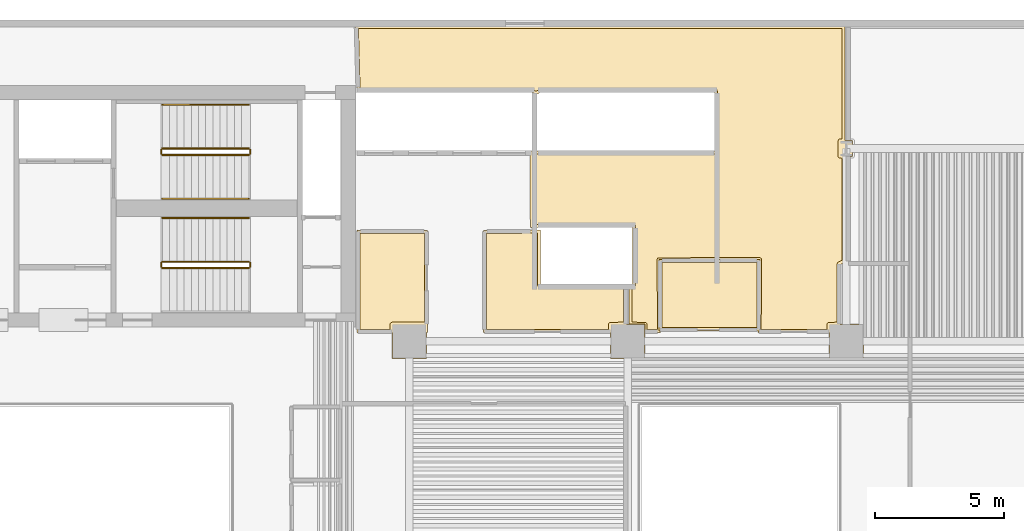
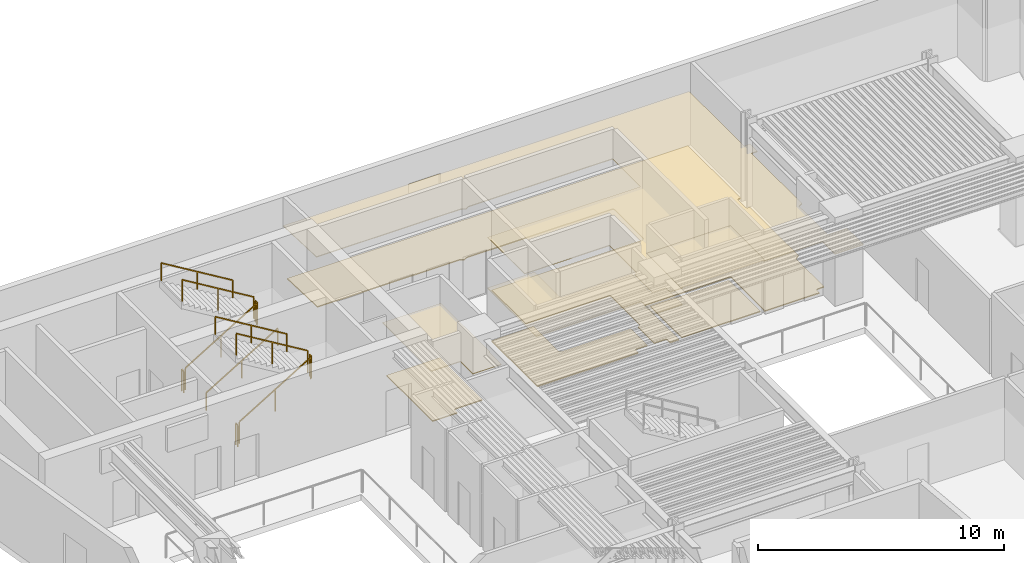
# One storey, part 11 of 12: 11 railings, 8 coverings.
"""IFC4 building model written with IfcOpenShell, lengths in metres."""

from ifc_helpers import new_model, si_unit, direction, frame, origin, origin_2d, place, context, subcontext, project, spatial, polyline, rectangle, outline, extrude, material, layer, layer_set, type_object, element, save


model = new_model("IFC4")

# Units and contexts
model_context = context("Model", 3, precision=1e-05, world=origin(), true_north=direction((0.0, 1.0)))
body_context = subcontext(model_context, "Body", "Model", "MODEL_VIEW")
ifc_project = project(units=[si_unit("LENGTHUNIT", "METRE"), si_unit("AREAUNIT", "SQUARE_METRE"), si_unit("VOLUMEUNIT", "CUBIC_METRE"), si_unit("PLANEANGLEUNIT", "RADIAN"), si_unit("MASSUNIT", "GRAM", prefix="KILO")], contexts=[model_context])

# Site, building, storey
site_placement = place(None, origin())
site = spatial("IfcSite", under=ifc_project, at=site_placement, CompositionType="ELEMENT")
building_placement = place(site_placement, origin())
building = spatial("IfcBuilding", under=site, at=building_placement, Name="Caeloran Harvest Quay", CompositionType="ELEMENT")
storey_placement = place(building_placement, frame((0.0, 0.0, 35.800048828125)))
storey = spatial("IfcBuildingStorey", under=building, at=storey_placement, Name="L08", CompositionType="ELEMENT", Elevation=35.800048828125)

# Coverings
ifc_material_1 = material(Name="Perforated Mineral-Fibre Acoustic Ceiling Tile", Category="ceiling")
ifc_layer_1 = layer(ifc_material_1, 0.0400390625, Name="Perforated Mineral-Fibre Acoustic Ceiling Tile")
ifc_layer_set_1 = layer_set([ifc_layer_1], Name="Perforated Mineral-Fibre Acoustic Ceiling Tile")
covering_type_1 = type_object("IfcCoveringType", Name="COV-CEILING-ACOUSTIC", PredefinedType="CEILING", material=ifc_layer_set_1)
covering_1_placement = place(storey_placement, frame((0.0, 0.0, 2.599853515625)))
element("IfcCovering", 1, at=covering_1_placement, inside=storey, type_object=covering_type_1, Name="L08 Core Auxiliary Equipment Room Acoustic Ceiling", PredefinedType="CEILING", context=body_context, shape_type="SweptSolid", body=[
    extrude(outline(polyline([(39.139892578125, 34.18994140625), (39.139892578125, 31.409912109375), (35.2099609375, 31.409912109375), (35.2099609375, 34.18994140625), (39.139892578125, 34.18994140625)])), origin(), (0.0, 0.0, 1.0), 0.0400390625),
])
covering_2_placement = place(storey_placement, frame((0.0, 0.0, 2.599853515625)))
element("IfcCovering", 2, at=covering_2_placement, inside=storey, type_object=covering_type_1, Name="Equipment Sterilisation Room Acoustic Ceiling", PredefinedType="CEILING", context=body_context, shape_type="SweptSolid", body=[
    extrude(outline(polyline([(34.669921875, 31.669921875), (34.669921875, 30.330078125), (33.330078125, 30.330078125), (33.330078125, 31.340087890625), (28.389892578125, 31.340087890625), (28.389892578125, 35.31005859375), (30.212890625, 35.31005859375), (30.22021484375, 35.330078125), (30.610107421875, 35.330078125), (30.610107421875, 33.2099609375), (32.34130859375, 33.2099609375), (32.34423828125, 33.2294921875), (32.39990234375, 33.23779296875), (32.455810546875, 33.2294921875), (32.458740234375, 33.2099609375), (33.9599609375, 33.2099609375), (33.9599609375, 31.669921875), (34.669921875, 31.669921875)])), origin(), (0.0, 0.0, 1.0), 0.0400390625),
])
covering_3_placement = place(storey_placement, frame((0.0, 0.0, 2.599853515625)))
element("IfcCovering", 3, at=covering_3_placement, inside=storey, type_object=covering_type_1, Name="Leafy-Greens Hydroponic Growing Hall 9 Acoustic Ceiling", PredefinedType="CEILING", context=body_context, shape_type="SweptSolid", body=[
    extrude(outline(polyline([(26.169921875, 30.330078125), (24.830078125, 30.330078125), (24.830078125, 31.340087890625), (23.469970703125, 31.340087890625), (23.469970703125, 35.32861328125), (23.521728515625, 35.31005859375), (26.2099609375, 35.31005859375), (26.2099609375, 31.340087890625), (26.169921875, 31.340087890625), (26.169921875, 30.330078125)])), origin(), (0.0, 0.0, 1.0), 0.0400390625),
])
covering_4_placement = place(storey_placement, frame((0.0, 0.0, 2.599853515625)))
element("IfcCovering", 4, at=covering_4_placement, inside=storey, type_object=covering_type_1, Name="Seedling Nursery Room 11 Acoustic Ceiling", PredefinedType="CEILING", context=body_context, shape_type="SweptSolid", body=[
    extrude(outline(polyline([(33.330078125, 31.669921875), (34.0400390625, 31.669921875), (34.0400390625, 33.119873046875), (34.18994140625, 33.22119140625), (34.18994140625, 35.439697265625), (30.210205078125, 35.419921875), (30.189697265625, 38.409912109375), (37.3701171875, 38.409912109375), (37.3701171875, 40.68994140625), (30.61083984375, 40.68994140625), (30.43994140625, 40.5888671875), (30.26904296875, 40.68994140625), (23.47119140625, 40.68994140625), (23.399658203125, 43.280029296875), (42.4599609375, 43.280029296875), (42.4599609375, 38.804443359375), (42.7470703125, 38.804443359375), (42.7470703125, 38.195556640625), (42.4599609375, 38.195556640625), (42.4599609375, 34.08984375), (42.260009765625, 33.9794921875), (42.260009765625, 31.669921875), (43.169921875, 31.669921875), (43.169921875, 30.330078125), (41.830078125, 30.330078125), (41.830078125, 31.340087890625), (39.069580078125, 31.340087890625), (39.089599609375, 34.139892578125), (35.26025390625, 34.139892578125), (35.2802734375, 31.340087890625), (34.669921875, 31.340087890625), (34.669921875, 30.330078125), (33.330078125, 30.330078125), (33.330078125, 31.669921875)])), origin(), (0.0, 0.0, 1.0), 0.0400390625),
])
ifc_material_2 = material(Name="Calcium-Sulphate Raised Access Floor and Terrazzo Finish", Category="flooring")
ifc_layer_2 = layer(ifc_material_2, 0.050048828125, Name="Calcium-Sulphate Raised Access Floor and Terrazzo Finish")
ifc_layer_set_2 = layer_set([ifc_layer_2], Name="Calcium-Sulphate Raised Access Floor and Terrazzo Finish")
covering_type_2 = type_object("IfcCoveringType", Name="COV-FLOOR-RAISED", PredefinedType="FLOORING", material=ifc_layer_set_2)
covering_5_placement = place(storey_placement, origin())
element("IfcCovering", 5, at=covering_5_placement, inside=storey, type_object=covering_type_2, Name="L08 Core Auxiliary Equipment Room Raised Finish Flooring", PredefinedType="FLOORING", context=body_context, shape_type="SweptSolid", body=[
    extrude(outline(polyline([(39.02001953125, 34.070068359375), (39.02001953125, 31.530029296875), (35.330078125, 31.530029296875), (35.330078125, 34.070068359375), (39.02001953125, 34.070068359375)])), origin(), (0.0, 0.0, 1.0), 0.050048828125),
])
covering_6_placement = place(storey_placement, origin())
element("IfcCovering", 6, at=covering_6_placement, inside=storey, type_object=covering_type_2, Name="Equipment Sterilisation Room Raised Finish Flooring", PredefinedType="FLOORING", context=body_context, shape_type="SweptSolid", body=[
    extrude(outline(polyline([(28.510009765625, 35.18994140625), (30.489990234375, 35.2099609375), (30.489990234375, 33.199951171875), (30.525146484375, 33.119384765625), (30.60009765625, 33.090087890625), (33.840087890625, 33.090087890625), (33.840087890625, 31.7451171875), (33.29736328125, 31.735595703125), (33.256591796875, 31.6806640625), (33.2548828125, 31.4599609375), (28.510009765625, 31.4599609375), (28.510009765625, 35.18994140625)])), origin(), (0.0, 0.0, 1.0), 0.050048828125),
])
covering_7_placement = place(storey_placement, origin())
element("IfcCovering", 7, at=covering_7_placement, inside=storey, type_object=covering_type_2, Name="Leafy-Greens Hydroponic Growing Hall 9 Raised Finish Flooring", PredefinedType="FLOORING", context=body_context, shape_type="SweptSolid", body=[
    extrude(outline(polyline([(23.590087890625, 35.18994140625), (26.090087890625, 35.18994140625), (26.090087890625, 31.7451171875), (24.8271484375, 31.74462890625), (24.75830078125, 31.688232421875), (24.7548828125, 31.4599609375), (23.590087890625, 31.4599609375), (23.590087890625, 35.18994140625)])), origin(), (0.0, 0.0, 1.0), 0.050048828125),
])
covering_8_placement = place(storey_placement, origin())
element("IfcCovering", 8, at=covering_8_placement, inside=storey, type_object=covering_type_2, Name="Seedling Nursery Room 11 Raised Finish Flooring", PredefinedType="FLOORING", context=body_context, shape_type="SweptSolid", body=[
    extrude(outline(polyline([(37.489990234375, 40.72998046875), (37.466552734375, 40.78662109375), (37.409912109375, 40.81005859375), (30.60009765625, 40.81005859375), (30.43994140625, 40.728271484375), (30.280029296875, 40.81005859375), (23.587890625, 40.81005859375), (23.523193359375, 43.159912109375), (42.340087890625, 43.159912109375), (42.340087890625, 38.87939453125), (42.22021484375, 38.8701171875), (42.177978515625, 38.799560546875), (42.179443359375, 38.184814453125), (42.227294921875, 38.126708984375), (42.340087890625, 38.12060546875), (42.340087890625, 34.16064453125), (42.1748046875, 34.06884765625), (42.140380859375, 34.0107421875), (42.139892578125, 31.7451171875), (41.79052734375, 31.7314453125), (41.75537109375, 31.6728515625), (41.7548828125, 31.4599609375), (39.190673828125, 31.4599609375), (39.2099609375, 34.179443359375), (39.186767578125, 34.236328125), (39.1298828125, 34.260009765625), (35.17529296875, 34.246337890625), (35.139892578125, 34.179443359375), (35.159423828125, 31.4599609375), (34.7451171875, 31.4599609375), (34.743408203125, 31.6806640625), (34.70263671875, 31.735595703125), (34.159912109375, 31.7451171875), (34.159912109375, 33.05615234375), (34.286865234375, 33.143798828125), (34.31005859375, 33.199951171875), (34.309814453125, 35.47998046875), (34.286376953125, 35.53662109375), (34.2294921875, 35.56005859375), (30.329345703125, 35.540283203125), (30.310546875, 38.2900390625), (37.43310546875, 38.29345703125), (37.489990234375, 38.3701171875), (37.489990234375, 40.72998046875)])), origin(), (0.0, 0.0, 1.0), 0.050048828125),
])

# Railings
ifc_material_3 = material(Name="Painted Steel Baluster and Top-Rail Stair Guard", Category="steel")
ifc_layer_3 = layer(ifc_material_3, 0.050048828125, Name="Painted Steel Baluster and Top-Rail Stair Guard")
ifc_layer_set_3 = layer_set([ifc_layer_3], Name="Painted Steel Baluster and Top-Rail Stair Guard")
railing_type_1 = type_object("IfcRailingType", Name="STAIR-GUARD-1100", PredefinedType="GUARDRAIL", material=ifc_layer_set_3)
railing_1_placement = place(storey_placement, frame((15.89990234375, 38.25, 0.169189453125)))
element("IfcRailing", 9, at=railing_1_placement, inside=storey, type_object=railing_type_1, Name="L08 ST-C1 stair guard 1", PredefinedType="GUARDRAIL", context=body_context, shape_type="SweptSolid", body=[
    extrude(rectangle(XDim=0.048095703125, YDim=0.048095703125, at=origin_2d()), frame((0.0, 0.0, 1.076171875), z_axis=(0.855836976705, 0.0, 0.517245656632), x_axis=(0.0, 1.0, 0.0)), (0.0, 0.0, 1.0), 3.926025390625),
    extrude(rectangle(XDim=0.0419921875, YDim=0.0419921875, at=origin_2d()), origin(), (0.0, 0.0, 1.0), 1.052001953125),
    extrude(rectangle(XDim=0.0419921875, YDim=0.0419921875, at=origin_2d()), frame((1.68017578125, 0.0, 1.015380859375)), (0.0, 0.0, 1.0), 1.052001953125),
    extrude(rectangle(XDim=0.0419921875, YDim=0.0419921875, at=origin_2d()), frame((3.360107421875, 0.0, 2.03076171875)), (0.0, 0.0, 1.0), 1.052001953125),
])
railing_2_placement = place(storey_placement, frame((19.31005859375, 38.300048828125, 2.199951171875)))
element("IfcRailing", 10, at=railing_2_placement, inside=storey, type_object=railing_type_1, Name="L08 ST-C1 stair guard 2", PredefinedType="GUARDRAIL", context=body_context, shape_type="SweptSolid", body=[
    extrude(rectangle(XDim=0.048095703125, YDim=0.048095703125, at=origin_2d()), frame((0.0, 0.0, 1.076171875), z_axis=(0.0, 1.0, 0.0), x_axis=(-1.0, 0.0, 0.0)), (0.0, 0.0, 1.0), 0.14990234375),
    extrude(rectangle(XDim=0.0419921875, YDim=0.0419921875, at=origin_2d()), origin(), (0.0, 0.0, 1.0), 1.052001953125),
    extrude(rectangle(XDim=0.0419921875, YDim=0.0419921875, at=origin_2d()), frame((0.0, 0.14990234375, 0.0)), (0.0, 0.0, 1.0), 1.052001953125),
])
railing_3_placement = place(storey_placement, frame((19.260009765625, 38.5, 2.369140625)))
element("IfcRailing", 11, at=railing_3_placement, inside=storey, type_object=railing_type_1, Name="L08 ST-C1 stair guard 3", PredefinedType="GUARDRAIL", context=body_context, shape_type="SweptSolid", body=[
    extrude(rectangle(XDim=0.048095703125, YDim=0.048095703125, at=origin_2d()), frame((0.0, 0.0, 1.076171875), z_axis=(-0.855836976705, 0.0, 0.517245656632), x_axis=(0.0, -1.0, 0.0)), (0.0, 0.0, 1.0), 3.926025390625),
    extrude(rectangle(XDim=0.0419921875, YDim=0.0419921875, at=origin_2d()), origin(), (0.0, 0.0, 1.0), 1.052001953125),
    extrude(rectangle(XDim=0.0419921875, YDim=0.0419921875, at=origin_2d()), frame((-1.68017578125, 0.0, 1.015380859375)), (0.0, 0.0, 1.0), 1.052001953125),
    extrude(rectangle(XDim=0.0419921875, YDim=0.0419921875, at=origin_2d()), frame((-3.360107421875, 0.0, 2.03076171875)), (0.0, 0.0, 1.0), 1.052001953125),
])
railing_4_placement = place(storey_placement, frame((15.85009765625, 38.300048828125, 0.0)))
element("IfcRailing", 12, at=railing_4_placement, inside=storey, type_object=railing_type_1, Name="L08 ST-C1 stair guard 4", PredefinedType="GUARDRAIL", context=body_context, shape_type="SweptSolid", body=[
    extrude(rectangle(XDim=0.048095703125, YDim=0.048095703125, at=origin_2d()), frame((0.0, 0.0, 1.076171875), z_axis=(0.0, 1.0, 0.0), x_axis=(-1.0, 0.0, 0.0)), (0.0, 0.0, 1.0), 0.14990234375),
    extrude(rectangle(XDim=0.0419921875, YDim=0.0419921875, at=origin_2d()), origin(), (0.0, 0.0, 1.0), 1.052001953125),
    extrude(rectangle(XDim=0.0419921875, YDim=0.0419921875, at=origin_2d()), frame((0.0, 0.14990234375, 0.0)), (0.0, 0.0, 1.0), 1.052001953125),
])
railing_5_placement = place(storey_placement, frame((15.89990234375, 33.85009765625, 0.169189453125)))
element("IfcRailing", 13, at=railing_5_placement, inside=storey, type_object=railing_type_1, Name="L08 ST-C2 stair guard 1", PredefinedType="GUARDRAIL", context=body_context, shape_type="SweptSolid", body=[
    extrude(rectangle(XDim=0.048095703125, YDim=0.048095703125, at=origin_2d()), frame((0.0, 0.0, 1.076171875), z_axis=(0.855836976705, 0.0, 0.517245656632), x_axis=(0.0, 1.0, 0.0)), (0.0, 0.0, 1.0), 3.926025390625),
    extrude(rectangle(XDim=0.0419921875, YDim=0.0419921875, at=origin_2d()), origin(), (0.0, 0.0, 1.0), 1.052001953125),
    extrude(rectangle(XDim=0.0419921875, YDim=0.0419921875, at=origin_2d()), frame((1.68017578125, 0.0, 1.015380859375)), (0.0, 0.0, 1.0), 1.052001953125),
    extrude(rectangle(XDim=0.0419921875, YDim=0.0419921875, at=origin_2d()), frame((3.360107421875, 0.0, 2.03076171875)), (0.0, 0.0, 1.0), 1.052001953125),
])
railing_6_placement = place(storey_placement, frame((19.31005859375, 33.89990234375, 2.199951171875)))
element("IfcRailing", 14, at=railing_6_placement, inside=storey, type_object=railing_type_1, Name="L08 ST-C2 stair guard 2", PredefinedType="GUARDRAIL", context=body_context, shape_type="SweptSolid", body=[
    extrude(rectangle(XDim=0.048095703125, YDim=0.048095703125, at=origin_2d()), frame((0.0, 0.0, 1.076171875), z_axis=(0.0, 1.0, 0.0), x_axis=(-1.0, 0.0, 0.0)), (0.0, 0.0, 1.0), 0.150146484375),
    extrude(rectangle(XDim=0.0419921875, YDim=0.0419921875, at=origin_2d()), origin(), (0.0, 0.0, 1.0), 1.052001953125),
    extrude(rectangle(XDim=0.0419921875, YDim=0.0419921875, at=origin_2d()), frame((0.0, 0.150146484375, 0.0)), (0.0, 0.0, 1.0), 1.052001953125),
])
railing_7_placement = place(storey_placement, frame((19.260009765625, 34.10009765625, 2.369140625)))
element("IfcRailing", 15, at=railing_7_placement, inside=storey, type_object=railing_type_1, Name="L08 ST-C2 stair guard 3", PredefinedType="GUARDRAIL", context=body_context, shape_type="SweptSolid", body=[
    extrude(rectangle(XDim=0.048095703125, YDim=0.048095703125, at=origin_2d()), frame((0.0, 0.0, 1.076171875), z_axis=(-0.855836976705, 0.0, 0.517245656632), x_axis=(0.0, -1.0, 0.0)), (0.0, 0.0, 1.0), 3.926025390625),
    extrude(rectangle(XDim=0.0419921875, YDim=0.0419921875, at=origin_2d()), origin(), (0.0, 0.0, 1.0), 1.052001953125),
    extrude(rectangle(XDim=0.0419921875, YDim=0.0419921875, at=origin_2d()), frame((-1.68017578125, 0.0, 1.015380859375)), (0.0, 0.0, 1.0), 1.052001953125),
    extrude(rectangle(XDim=0.0419921875, YDim=0.0419921875, at=origin_2d()), frame((-3.360107421875, 0.0, 2.03076171875)), (0.0, 0.0, 1.0), 1.052001953125),
])
railing_8_placement = place(storey_placement, frame((15.85009765625, 33.89990234375, 0.0)))
element("IfcRailing", 16, at=railing_8_placement, inside=storey, type_object=railing_type_1, Name="L08 ST-C2 stair guard 4", PredefinedType="GUARDRAIL", context=body_context, shape_type="SweptSolid", body=[
    extrude(rectangle(XDim=0.048095703125, YDim=0.048095703125, at=origin_2d()), frame((0.0, 0.0, 1.076171875), z_axis=(0.0, 1.0, 0.0), x_axis=(-1.0, 0.0, 0.0)), (0.0, 0.0, 1.0), 0.150146484375),
    extrude(rectangle(XDim=0.0419921875, YDim=0.0419921875, at=origin_2d()), origin(), (0.0, 0.0, 1.0), 1.052001953125),
    extrude(rectangle(XDim=0.0419921875, YDim=0.0419921875, at=origin_2d()), frame((0.0, 0.150146484375, 0.0)), (0.0, 0.0, 1.0), 1.052001953125),
])
ifc_material_4 = material(Name="Brushed Stainless Steel Grade 304", Category="steel")
ifc_layer_4 = layer(ifc_material_4, 0.050048828125, Name="Brushed Stainless Steel Grade 304")
ifc_layer_set_4 = layer_set([ifc_layer_4], Name="Brushed Stainless Steel Grade 304")
railing_type_2 = type_object("IfcRailingType", Name="STAIR-HANDRAIL-900", PredefinedType="HANDRAIL", material=ifc_layer_set_4)
railing_9_placement = place(storey_placement, frame((15.89990234375, 36.550048828125, 0.169189453125)))
element("IfcRailing", 17, at=railing_9_placement, inside=storey, type_object=railing_type_2, Name="L08 ST-C1 stair handrail 1", PredefinedType="HANDRAIL", context=body_context, shape_type="SweptSolid", body=[
    extrude(rectangle(XDim=0.048095703125, YDim=0.048095703125, at=origin_2d()), frame((0.0, 0.0, 0.8759765625), z_axis=(0.855836976705, 0.0, 0.517245656632), x_axis=(0.0, 1.0, 0.0)), (0.0, 0.0, 1.0), 3.926025390625),
    extrude(rectangle(XDim=0.0419921875, YDim=0.0419921875, at=origin_2d()), origin(), (0.0, 0.0, 1.0), 0.851806640625),
    extrude(rectangle(XDim=0.0419921875, YDim=0.0419921875, at=origin_2d()), frame((1.68017578125, 0.0, 1.015380859375)), (0.0, 0.0, 1.0), 0.851806640625),
    extrude(rectangle(XDim=0.0419921875, YDim=0.0419921875, at=origin_2d()), frame((3.360107421875, 0.0, 2.03076171875)), (0.0, 0.0, 1.0), 0.851806640625),
])
for number, where, name in (
    (18, (19.260009765625, 40.199951171875, 2.369140625), "L08 ST-C1 stair handrail 2"),
    (19, (19.260009765625, 35.800048828125, 2.369140625), "L08 ST-C2 stair handrail 2"),
):
    element("IfcRailing", number, at=place(storey_placement, frame(where)), inside=storey, type_object=railing_type_2, Name=name, PredefinedType="HANDRAIL", context=body_context, shape_type="SweptSolid", body=[
        extrude(rectangle(XDim=0.048095703125, YDim=0.048095703125, at=origin_2d()), frame((0.0, 0.0, 0.8759765625), z_axis=(-0.855836976705, 0.0, 0.517245656632), x_axis=(0.0, -1.0, 0.0)), (0.0, 0.0, 1.0), 3.926025390625),
        extrude(rectangle(XDim=0.0419921875, YDim=0.0419921875, at=origin_2d()), origin(), (0.0, 0.0, 1.0), 0.851806640625),
        extrude(rectangle(XDim=0.0419921875, YDim=0.0419921875, at=origin_2d()), frame((-1.68017578125, 0.0, 1.015380859375)), (0.0, 0.0, 1.0), 0.851806640625),
        extrude(rectangle(XDim=0.0419921875, YDim=0.0419921875, at=origin_2d()), frame((-3.360107421875, 0.0, 2.03076171875)), (0.0, 0.0, 1.0), 0.851806640625),
    ])

save(model, "model.ifc")
